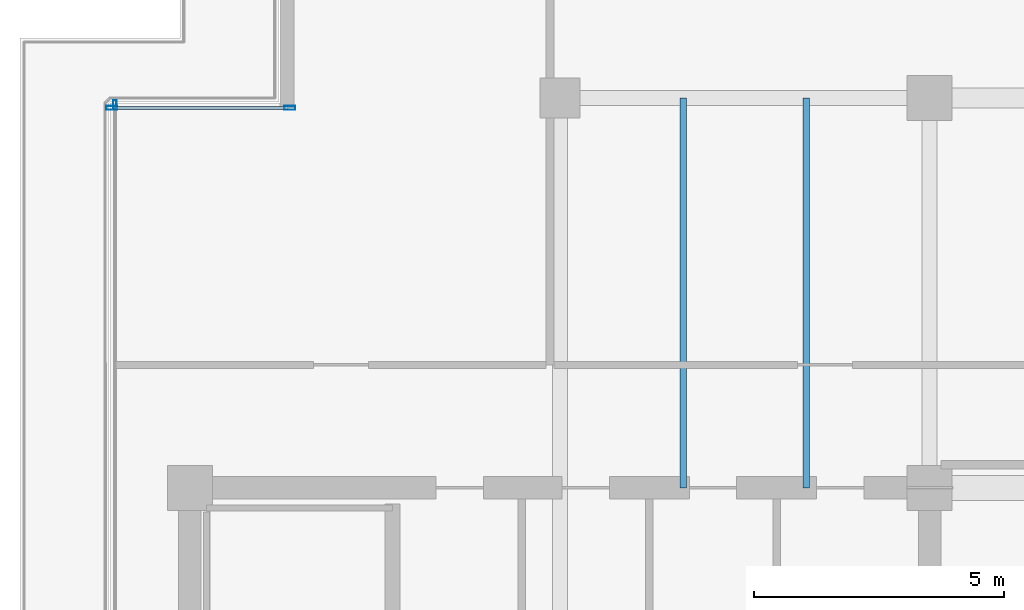
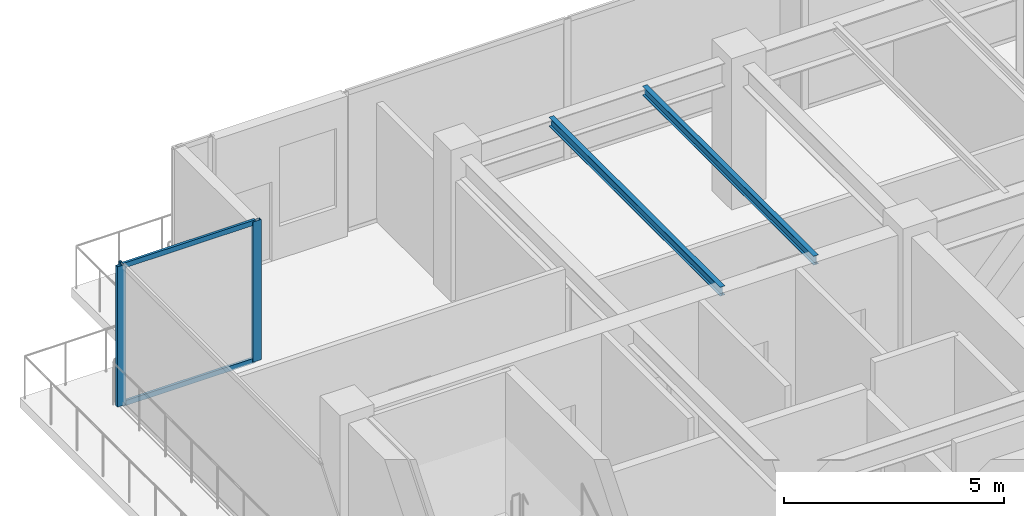
# One storey, part 18 of 34: 5 members, 2 beams, 2 elements without a shape of their own.
"""IFC4 building model written with IfcOpenShell, lengths in metres."""

from ifc_helpers import new_model, si_unit, direction, frame, origin, origin_2d, place, context, subcontext, project, spatial, hollow_rectangle, i_section, extrude, source, transform, mapped, material, layer, layer_set, material_profile, profile_set, type_object, type_shapes, element, aggregate, save


model = new_model("IFC4")

# Units and contexts
model_context = context("Model", 3, precision=1e-05, world=origin(), true_north=direction((0.0, 1.0)))
body_context = subcontext(model_context, "Body", "Model", "MODEL_VIEW")
ifc_project = project(units=[si_unit("LENGTHUNIT", "METRE"), si_unit("AREAUNIT", "SQUARE_METRE"), si_unit("VOLUMEUNIT", "CUBIC_METRE"), si_unit("PLANEANGLEUNIT", "RADIAN"), si_unit("MASSUNIT", "GRAM", prefix="KILO")], contexts=[model_context])

# Site, building, storey
site_placement = place(None, origin())
site = spatial("IfcSite", under=ifc_project, at=site_placement, CompositionType="ELEMENT")
building_placement = place(site_placement, origin())
building = spatial("IfcBuilding", under=site, at=building_placement, Name="Haelvirn Gate Laboratories", CompositionType="ELEMENT")
storey_placement = place(building_placement, frame((0.0, 0.0, 297.60009765625)))
storey = spatial("IfcBuildingStorey", under=building, at=storey_placement, Name="L71", CompositionType="ELEMENT", Elevation=297.60009765625)

# Beams
ifc_material_1 = material(Name="Steel SM355", Category="steel")
ifc_material_profile_1 = material_profile(ifc_material_1, i_section(OverallWidth=0.125, OverallDepth=0.25, WebThickness=0.006103515625, FlangeThickness=0.009033203125, at=origin_2d()), Name="H-250x125x6x9")
ifc_profile_set_1 = profile_set([ifc_material_profile_1], Name="Steel SM355")
beam_type = type_object("IfcBeamType", Name="BM-J-250", PredefinedType="JOIST", material=ifc_profile_set_1)
shared_shape_1 = source(origin(), body_context, "Body", "SweptSolid", [
    extrude(i_section(OverallWidth=0.125, OverallDepth=0.25, WebThickness=0.006103515625, FlangeThickness=0.009033203125, at=origin_2d()), origin(), (0.0, 0.0, 1.0), 7.800048828125),
])
type_shapes(beam_type, [shared_shape_1])
for number, where, z_axis, x_axis, name in (
    (1, (17.27001953125, 33.800048828125, 3.77490234375), (0.0, 1.0, 0.0), (-1.0, 0.0, 0.0), "L71 Composite Lab Joist North X17.27"),
    (2, (19.72998046875, 33.800048828125, 3.77490234375), (0.0, 1.0, 0.0), (-1.0, 0.0, 0.0), "L71 Composite Lab Joist North X19.73"),
):
    element("IfcBeam", number, at=place(storey_placement, frame(where, z_axis=z_axis, x_axis=x_axis)), inside=storey, type_object=beam_type, Name=name, PredefinedType="JOIST", context=body_context, shape_type="MappedRepresentation", body=[
        mapped(shared_shape_1, transform((0.0, 0.0, 0.0), scale=1.0)),
    ])

# Curtain wall, member
ifc_material_2 = material(Name="Anodised bronze unitised aluminium & triple low-E glass", Category="aluminium")
ifc_layer_1 = layer(ifc_material_2, 0.176025390625, Name="CW-SYS-4")
ifc_layer_set_1 = layer_set([ifc_layer_1], Name="Anodised bronze unitised aluminium & triple low-E glass")
curtain_wall_type_1 = type_object("IfcCurtainWallType", Name="CW-SYS-4", PredefinedType="NOTDEFINED", material=ifc_layer_set_1)
curtain_wall_1_placement = place(storey_placement, origin())
curtain_wall_1 = element("IfcCurtainWall", 3, at=curtain_wall_1_placement, inside=storey, type_object=curtain_wall_type_1, Name="L71 Unitised Curtain Wall CW-L71-P0-E17", PredefinedType="NOTDEFINED")
ifc_material_3 = material(Name="Extruded aluminium 6063-T6 (anodised bronze)", Category="aluminium")
ifc_material_profile_2 = material_profile(ifc_material_3, hollow_rectangle(XDim=0.070068359375, YDim=0.179931640625, WallThickness=0.0048828125, at=origin_2d()), Name="CWM-180x70x5")
ifc_profile_set_2 = profile_set([ifc_material_profile_2], Name="Extruded aluminium 6063-T6 (anodised bronze)")
member_type_1 = type_object("IfcMemberType", Name="CWM-T180", PredefinedType="MULLION", material=ifc_profile_set_2)
shared_shape_2 = source(origin(), body_context, "Body", "SweptSolid", [
    extrude(hollow_rectangle(XDim=0.070068359375, YDim=0.179931640625, WallThickness=0.0048828125, at=origin_2d()), origin(), (0.0, 0.0, 1.0), 3.89990234375),
])
type_shapes(member_type_1, [shared_shape_2])
member_1_placement = place(storey_placement, frame((5.89990234375, 41.465087890625, 0.0), z_axis=(0.0, 0.0, 1.0), x_axis=(1.0, 0.0, 0.0)))
member_1 = element("IfcMember", 4, at=member_1_placement, type_object=member_type_1, Name="CW4 mullion 1", PredefinedType="MULLION", context=body_context, shape_type="MappedRepresentation", body=[
    mapped(shared_shape_2, transform((0.0, 0.0, 0.0), scale=1.0)),
])
aggregate(curtain_wall_1, [member_1])

# Curtain wall, members
ifc_layer_2 = layer(ifc_material_2, 0.181884765625, Name="CW-SYS-5")
ifc_layer_set_2 = layer_set([ifc_layer_2], Name="Anodised bronze unitised aluminium & triple low-E glass")
curtain_wall_type_2 = type_object("IfcCurtainWallType", Name="CW-SYS-5", PredefinedType="NOTDEFINED", material=ifc_layer_set_2)
curtain_wall_2_placement = place(storey_placement, origin())
curtain_wall_2 = element("IfcCurtainWall", 5, at=curtain_wall_2_placement, inside=storey, type_object=curtain_wall_type_2, Name="L71 Unitised Curtain Wall CW-L71-P0-E16-1", PredefinedType="NOTDEFINED")
ifc_material_profile_3 = material_profile(ifc_material_3, hollow_rectangle(XDim=0.080078125, YDim=0.219970703125, WallThickness=0.006103515625, at=origin_2d()), Name="CWM-220x80x6")
ifc_profile_set_3 = profile_set([ifc_material_profile_3], Name="Extruded aluminium 6063-T6 (anodised bronze)")
member_type_2 = type_object("IfcMemberType", Name="CWM-T220", PredefinedType="MULLION", material=ifc_profile_set_3)
shared_shape_3 = source(origin(), body_context, "Body", "SweptSolid", [
    extrude(hollow_rectangle(XDim=0.080078125, YDim=0.219970703125, WallThickness=0.006103515625, at=origin_2d()), origin(), (0.0, 0.0, 1.0), 3.89990234375),
])
type_shapes(member_type_2, [shared_shape_3])
member_2_placement = place(storey_placement, frame((5.840087890625, 41.39990234375, 0.0), z_axis=(0.0, 0.0, 1.0), x_axis=(0.0, 1.0, 0.0)))
member_2 = element("IfcMember", 6, at=member_2_placement, type_object=member_type_2, Name="CW5 mullion 1", PredefinedType="MULLION", context=body_context, shape_type="MappedRepresentation", body=[
    mapped(shared_shape_3, transform((0.0, 0.0, 0.0), scale=1.0)),
])
member_3_placement = place(storey_placement, frame((9.39990234375, 41.39990234375, 0.0), z_axis=(0.0, 0.0, 1.0), x_axis=(0.0, 1.0, 0.0)))
member_3 = element("IfcMember", 7, at=member_3_placement, type_object=member_type_2, Name="CW5 mullion 2", PredefinedType="MULLION", context=body_context, shape_type="MappedRepresentation", body=[
    mapped(shared_shape_3, transform((0.0, 0.0, 0.0), scale=1.0)),
])
ifc_material_profile_4 = material_profile(ifc_material_3, hollow_rectangle(XDim=0.06494140625, YDim=0.139892578125, WallThickness=0.00390625, at=origin_2d()), Name="CWT-140x65x4")
ifc_profile_set_4 = profile_set([ifc_material_profile_4], Name="Extruded aluminium 6063-T6 (anodised bronze)")
member_type_3 = type_object("IfcMemberType", Name="CWT-T140", PredefinedType="USERDEFINED", material=ifc_profile_set_4)
shared_shape_4 = source(origin(), body_context, "Body", "SweptSolid", [
    extrude(hollow_rectangle(XDim=0.06494140625, YDim=0.139892578125, WallThickness=0.00390625, at=origin_2d()), origin(), (0.0, 0.0, 1.0), 3.480224609375),
])
type_shapes(member_type_3, [shared_shape_4])
member_4_placement = place(storey_placement, frame((5.8798828125, 41.39990234375, 0.032470703125), z_axis=(1.0, 0.0, 0.0), x_axis=(0.0, 1.0, 0.0)))
member_4 = element("IfcMember", 8, at=member_4_placement, type_object=member_type_3, Name="CW5 transom 1.1", ObjectType="TRANSOM", PredefinedType="USERDEFINED", context=body_context, shape_type="MappedRepresentation", body=[
    mapped(shared_shape_4, transform((0.0, 0.0, 0.0), scale=1.0)),
])
member_5_placement = place(storey_placement, frame((5.8798828125, 41.39990234375, 3.867431640625), z_axis=(1.0, 0.0, 0.0), x_axis=(0.0, 1.0, 0.0)))
member_5 = element("IfcMember", 9, at=member_5_placement, type_object=member_type_3, Name="CW5 transom 1.2", ObjectType="TRANSOM", PredefinedType="USERDEFINED", context=body_context, shape_type="MappedRepresentation", body=[
    mapped(shared_shape_4, transform((0.0, 0.0, 0.0), scale=1.0)),
])
aggregate(curtain_wall_2, [member_2, member_3, member_4, member_5])

save(model, "model.ifc")
